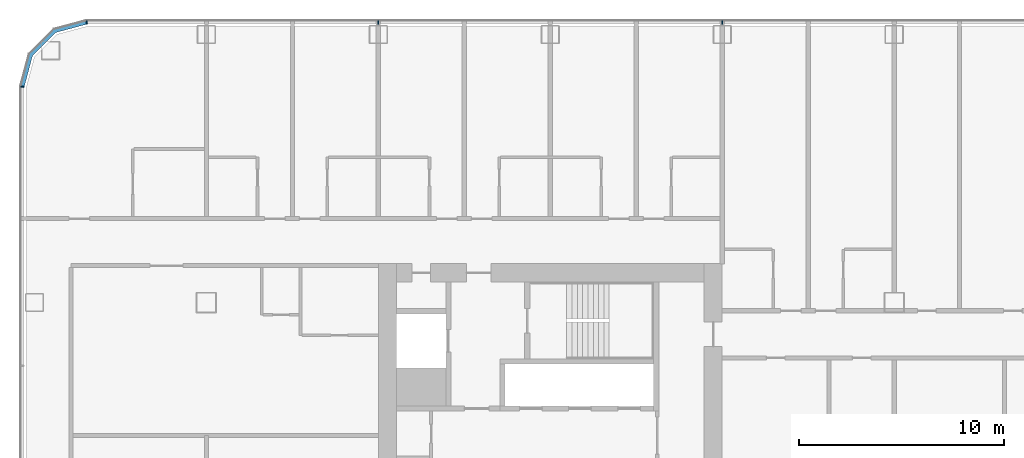
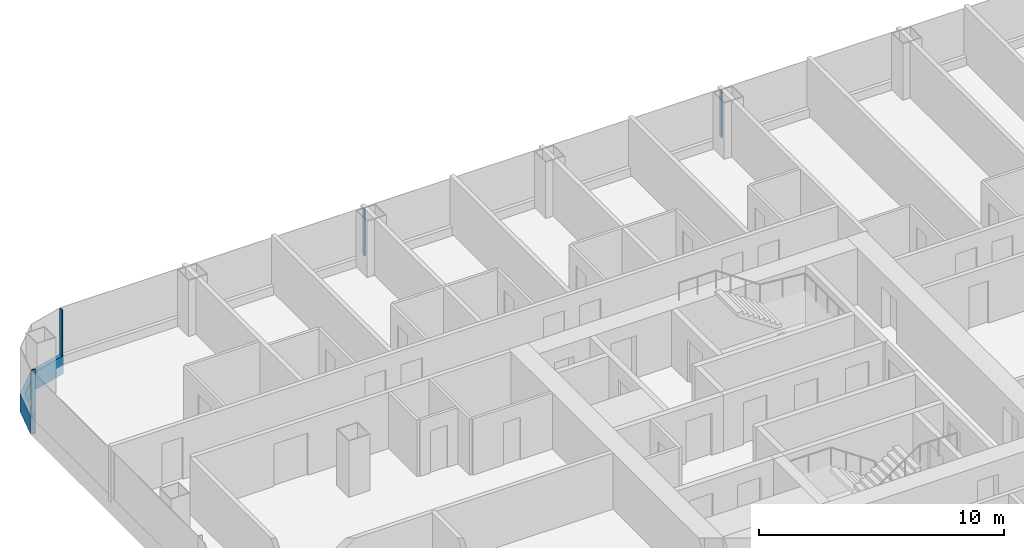
# One storey, part 6 of 29: 5 members, 3 elements without a shape of their own.
"""IFC4 building model written with IfcOpenShell, lengths in metres."""

import ifcopenshell
import ifcopenshell.guid

model = None  # the IFC model being written
_history = None  # IfcOwnerHistory: only IFC2X3 demands one
_inside = {}  # id of a spatial element -> (the spatial element, [elements in it])
_under = {}  # id of a project, library or spatial element -> (it, [spatial elements below it])
_declared = {}  # id of a project -> (the project, [libraries it declares])
_typed = {}  # id of a type object -> (the type object, [elements of that type])
_made_of = {}  # id of a material, layer set ... -> (it, [elements and type objects made of it])


def new_model(schema):
    """Start an empty IFC model of exactly this schema.

    Asked for "IFC4X3", IfcOpenShell would pick the latest addendum, in which some entities
    have other attributes; the version numbers below select the first issue.
    IFC2X3 requires an IfcOwnerHistory on every rooted entity: one is made here for all.
    """
    global model, _history
    if schema == "IFC4X3":
        model = ifcopenshell.file(schema_version=(4, 3, 0, 0))
    else:
        model = ifcopenshell.file(schema=schema)
    _inside.clear()
    _under.clear()
    _declared.clear()
    _typed.clear()
    _made_of.clear()
    _history = None
    if model.schema == "IFC2X3":
        org = make("IfcOrganization", Name="unknown")
        user = make(
            "IfcPersonAndOrganization",
            ThePerson=make("IfcPerson", FamilyName="unknown"),
            TheOrganization=org,
        )
        app = make(
            "IfcApplication",
            ApplicationDeveloper=org,
            Version="unknown",
            ApplicationFullName="unknown",
            ApplicationIdentifier="unknown",
        )
        _history = make(
            "IfcOwnerHistory",
            OwningUser=user,
            OwningApplication=app,
            ChangeAction="ADDED",
            CreationDate=0,
        )
    return model


def make(cls, **values):
    """One entity of the class cls with the attributes given. An attribute that is None is left unset."""
    return model.create_entity(
        cls, **{name: value for name, value in values.items() if value is not None}
    )


def rooted(cls, **values):
    """An entity with a GlobalId (a new one), such as an element, a storey or a relation."""
    return make(cls, GlobalId=ifcopenshell.guid.new(), OwnerHistory=_history, **values)


def si_unit(unit_type, name, prefix=None):
    """IfcSIUnit, for example si_unit("LENGTHUNIT", "METRE", prefix="MILLI")."""
    return make("IfcSIUnit", UnitType=unit_type, Prefix=prefix, Name=name)


def assignment(units):
    """IfcUnitAssignment: the units of a project."""
    return None if units is None else make("IfcUnitAssignment", Units=units)


def point(xyz):
    """IfcCartesianPoint."""
    return None if xyz is None else make("IfcCartesianPoint", Coordinates=xyz)


def direction(xyz):
    """IfcDirection."""
    return None if xyz is None else make("IfcDirection", DirectionRatios=xyz)


def frame(location, z_axis=None, x_axis=None):
    """IfcAxis2Placement3D, a coordinate frame: its origin and axes. An axis left out is left unset."""
    return make(
        "IfcAxis2Placement3D",
        Location=point(location),
        Axis=direction(z_axis),
        RefDirection=direction(x_axis),
    )


def frame_2d(location, x_axis=None):
    """IfcAxis2Placement2D, a coordinate frame in the plane: its origin and x axis."""
    return make(
        "IfcAxis2Placement2D", Location=point(location), RefDirection=direction(x_axis)
    )


def origin():
    """The frame at (0, 0, 0) with its axes left unset."""
    return frame((0.0, 0.0, 0.0))


def origin_2d():
    """The frame at (0, 0) in the plane with its x axis left unset."""
    return frame_2d((0.0, 0.0))


def place(relative_to, where):
    """IfcLocalPlacement: puts the frame where relative to a parent placement (None: the world)."""
    return make(
        "IfcLocalPlacement", PlacementRelTo=relative_to, RelativePlacement=where
    )


def context(
    kind, dimensions, precision=None, world=None, true_north=None, identifier=None
):
    """IfcGeometricRepresentationContext, for example the 3D "Model" context."""
    return make(
        "IfcGeometricRepresentationContext",
        ContextIdentifier=identifier,
        ContextType=kind,
        CoordinateSpaceDimension=dimensions,
        Precision=precision,
        WorldCoordinateSystem=world,
        TrueNorth=true_north,
    )


def subcontext(parent, identifier, kind, view, scale=None):
    """IfcGeometricRepresentationSubContext, for example "Body" below "Model"."""
    return make(
        "IfcGeometricRepresentationSubContext",
        ContextIdentifier=identifier,
        ContextType=kind,
        ParentContext=parent,
        TargetScale=scale,
        TargetView=view,
    )


def project(units=None, contexts=None):
    """IfcProject with its units and contexts."""
    return rooted(
        "IfcProject",
        Name="project",
        RepresentationContexts=contexts,
        UnitsInContext=assignment(units),
    )


def spatial(cls, under=None, at=None, **own):
    """A site, building, storey or space (cls), placed at a placement, below another one or the project."""
    s = rooted(cls, ObjectPlacement=at, **own)
    if under is not None:
        _under.setdefault(under.id(), (under, []))[1].append(s)
    return s


def polyline(points):
    """IfcPolyline through the points."""
    return make("IfcPolyline", Points=[point(p) for p in points])


def profile(cls, at=None, kind="AREA", **sizes):
    """A parametric profile (cls). Its sizes go by their IFC names, for example OverallWidth=200.0."""
    return make(cls, ProfileType=kind, Position=at, **sizes)


def rectangle(**sizes):
    """IfcRectangleProfileDef."""
    return profile("IfcRectangleProfileDef", **sizes)


def outline(outer, holes=None, kind="AREA"):
    """IfcArbitraryClosedProfileDef: a profile drawn as a closed curve; with holes, ...WithVoids."""
    if holes is None:
        return make("IfcArbitraryClosedProfileDef", ProfileType=kind, OuterCurve=outer)
    return make(
        "IfcArbitraryProfileDefWithVoids",
        ProfileType=kind,
        OuterCurve=outer,
        InnerCurves=holes,
    )


def extrude(swept, where, along, depth):
    """IfcExtrudedAreaSolid: the profile swept, set in the frame where, extruded along a direction by depth."""
    return make(
        "IfcExtrudedAreaSolid",
        SweptArea=swept,
        Position=where,
        ExtrudedDirection=direction(along),
        Depth=depth,
    )


def shape(context_of_items, identifier, shape_type, items):
    """IfcShapeRepresentation: the items that make up one representation, for example the "Body"."""
    return make(
        "IfcShapeRepresentation",
        ContextOfItems=context_of_items,
        RepresentationIdentifier=identifier,
        RepresentationType=shape_type,
        Items=items,
    )


def material(Name=None, Category=None):
    """IfcMaterial."""
    return make("IfcMaterial", Name=Name, Category=Category)


def layer(
    of_material, thickness, ventilated=None, Name=None, Category=None, Priority=None
):
    """IfcMaterialLayer: one layer of a wall or slab, of a material (None: an air gap)."""
    return make(
        "IfcMaterialLayer",
        Material=of_material,
        LayerThickness=thickness,
        IsVentilated=ventilated,
        Name=Name,
        Category=Category,
        Priority=Priority,
    )


def layer_set(layers, Name=None):
    """IfcMaterialLayerSet."""
    return make("IfcMaterialLayerSet", MaterialLayers=layers, LayerSetName=Name)


def material_profile(
    of_material, cross_section, Name=None, Category=None, Priority=None
):
    """IfcMaterialProfile: a cross section and its material."""
    return make(
        "IfcMaterialProfile",
        Name=Name,
        Material=of_material,
        Profile=cross_section,
        Priority=Priority,
        Category=Category,
    )


def profile_set(profiles, Name=None, composite=None):
    """IfcMaterialProfileSet."""
    return make(
        "IfcMaterialProfileSet",
        Name=Name,
        MaterialProfiles=profiles,
        CompositeProfile=composite,
    )


def made_of(thing, what):
    """Note that an element or type object is made of a material, layer set ...; save() writes the relation."""
    if what is not None:
        _made_of.setdefault(what.id(), (what, []))[1].append(thing)
    return thing


def type_object(cls, material=None, **own):
    """A type object (cls), such as IfcWallType, which elements share."""
    return made_of(rooted(cls, **own), material)


def element(
    cls,
    number,
    at=None,
    inside=None,
    cuts=None,
    type_object=None,
    material=None,
    context=None,
    identifier="Body",
    shape_type=None,
    held_by="IfcProductDefinitionShape",
    body=None,
    shapes=None,
    **own,
):
    """One element of the class cls, such as IfcWall. Its Tag is "e" and its number.

    at: its placement. inside: the storey or other place that contains it. cuts: it is an
    opening in that element (IfcRelVoidsElement). A single representation is given by context,
    identifier, shape_type and body (its items); several are given by shapes. held_by: the class
    of the entity that holds the representations. save() writes the other relations.
    """
    e = rooted(cls, Tag="e%d" % number, ObjectPlacement=at, **own)
    if body is not None:
        shapes = [shape(context, identifier, shape_type, body)]
    if shapes is not None:
        e.Representation = make(held_by, Representations=shapes)
    if inside is not None:
        _inside.setdefault(inside.id(), (inside, []))[1].append(e)
    if cuts is not None:
        rooted(
            "IfcRelVoidsElement", RelatingBuildingElement=cuts, RelatedOpeningElement=e
        )
    if type_object is not None:
        _typed.setdefault(type_object.id(), (type_object, []))[1].append(e)
    return made_of(e, material)


def aggregate(whole, parts):
    """IfcRelAggregates: a whole, such as a stair, and the parts it consists of."""
    return rooted("IfcRelAggregates", RelatingObject=whole, RelatedObjects=parts)


def save(model, path):
    """Write the relations noted so far, then the file.

    IfcRelAggregates (storeys below a building ...), IfcRelContainedInSpatialStructure (elements
    in a storey), IfcRelDefinesByType, IfcRelAssociatesMaterial and IfcRelDeclares: one each for
    every whole, place, type object, material and project.
    """
    for whole, parts in _under.values():
        aggregate(whole, parts)
    for where, things in _inside.values():
        rooted(
            "IfcRelContainedInSpatialStructure",
            RelatedElements=things,
            RelatingStructure=where,
        )
    for kind, things in _typed.values():
        rooted("IfcRelDefinesByType", RelatedObjects=things, RelatingType=kind)
    for what, things in _made_of.values():
        rooted("IfcRelAssociatesMaterial", RelatedObjects=things, RelatingMaterial=what)
    for by, libraries in _declared.values():
        rooted("IfcRelDeclares", RelatingContext=by, RelatedDefinitions=libraries)
    model.write(path)


model = new_model("IFC4")

# Units and contexts
model_context = context("Model", 3, precision=1e-05, world=origin(), true_north=direction((0.0, 1.0)))
body_context = subcontext(model_context, "Body", "Model", "MODEL_VIEW")
ifc_project = project(units=[si_unit("LENGTHUNIT", "METRE"), si_unit("AREAUNIT", "SQUARE_METRE"), si_unit("VOLUMEUNIT", "CUBIC_METRE"), si_unit("PLANEANGLEUNIT", "RADIAN"), si_unit("MASSUNIT", "GRAM", prefix="KILO")], contexts=[model_context])

# Site, building, storey
site_placement = place(None, origin())
site = spatial("IfcSite", under=ifc_project, at=site_placement, CompositionType="ELEMENT")
building_placement = place(site_placement, origin())
building = spatial("IfcBuilding", under=site, at=building_placement, Name="Hakoniwa Tower and Hamabe Station Hall", CompositionType="ELEMENT")
storey_placement = place(building_placement, frame((0.0, 0.0, 23.0)))
storey = spatial("IfcBuildingStorey", under=building, at=storey_placement, Name="L05", CompositionType="ELEMENT", Elevation=23.0)

# Curtain wall, member
ifc_material_1 = material(Name="Dark low-e laminated glass", Category="glass")
ifc_layer = layer(ifc_material_1, 0.199951171875)
ifc_layer_set = layer_set([ifc_layer], Name="CW-1 UNITISED GUEST")
curtain_wall_type = type_object("IfcCurtainWallType", Name="CW-1 UNITISED GUEST", PredefinedType="NOTDEFINED", material=ifc_layer_set)
curtain_wall_1_placement = place(storey_placement, origin())
curtain_wall_1 = element("IfcCurtainWall", 1, at=curtain_wall_1_placement, inside=storey, type_object=curtain_wall_type, Name="CW-1 curtain wall", PredefinedType="NOTDEFINED")
ifc_material_2 = material(Name="Aluminium 6063-T5 black anodised", Category="aluminium")
ifc_material_profile_1 = material_profile(ifc_material_2, rectangle(XDim=0.199951171875, YDim=0.89990234375, at=origin_2d()), Name="CW SLAB-EDGE BAND 900X200")
ifc_profile_set_1 = profile_set([ifc_material_profile_1], Name="Aluminium 6063-T5 black anodised")
member_type_1 = type_object("IfcMemberType", Name="CW SLAB-EDGE BAND 900X200", PredefinedType="USERDEFINED", material=ifc_profile_set_1)
member_1_placement = place(storey_placement, frame((0.0, 0.0, -0.550048828125)))
member_1 = element("IfcMember", 2, at=member_1_placement, type_object=member_type_1, Name="CW-1 transom", ObjectType="TRANSOM", PredefinedType="USERDEFINED", context=body_context, shape_type="SweptSolid", body=[
    extrude(outline(polyline([(-47.839599609375, 20.300048828125), (-49.455322265625, 19.866943359375), (-50.6669921875, 18.6552734375), (-51.10009765625, 17.03955078125), (-50.90673828125, 16.98779296875), (-50.48779296875, 18.5517578125), (-49.351806640625, 19.687744140625), (-47.787841796875, 20.10693359375), (-47.839599609375, 20.300048828125)])), origin(), (0.0, 0.0, 1.0), 0.900146484375),
])
aggregate(curtain_wall_1, [member_1])

# Curtain wall, members
curtain_wall_2_placement = place(storey_placement, origin())
curtain_wall_2 = element("IfcCurtainWall", 3, at=curtain_wall_2_placement, inside=storey, type_object=curtain_wall_type, Name="CW-1 curtain wall", PredefinedType="NOTDEFINED")
ifc_material_3 = material(Name="Aluminium 6063-T5 black anodised", Category="aluminium")
ifc_material_profile_2 = material_profile(ifc_material_3, rectangle(XDim=0.06005859375, YDim=0.179931640625, at=origin_2d()), Name="CW-1 MULLION 60X180")
ifc_profile_set_2 = profile_set([ifc_material_profile_2], Name="Aluminium 6063-T5 black anodised")
member_type_2 = type_object("IfcMemberType", Name="CW-1 MULLION 60X180", PredefinedType="MULLION", material=ifc_profile_set_2)
member_2_placement = place(storey_placement, frame((-16.800048828125, 20.181884765625, 0.35009765625), z_axis=(0.0, 0.0, 1.0), x_axis=(-1.0, 0.0, 0.0)))
member_2 = element("IfcMember", 4, at=member_2_placement, type_object=member_type_2, Name="CW-1 mullion", PredefinedType="MULLION", context=body_context, shape_type="SweptSolid", body=[
    extrude(rectangle(XDim=0.06005859375, YDim=0.179931640625, at=origin_2d()), origin(), (0.0, 0.0, 1.0), 2.2998046875),
])
member_3_placement = place(storey_placement, frame((-33.60009765625, 20.181884765625, 0.35009765625), z_axis=(0.0, 0.0, 1.0), x_axis=(-1.0, 0.0, 0.0)))
member_3 = element("IfcMember", 5, at=member_3_placement, type_object=member_type_2, Name="CW-1 mullion", PredefinedType="MULLION", context=body_context, shape_type="SweptSolid", body=[
    extrude(rectangle(XDim=0.06005859375, YDim=0.179931640625, at=origin_2d()), origin(), (0.0, 0.0, 1.0), 2.2998046875),
])
member_4_placement = place(storey_placement, frame((-47.839599609375, 20.181884765625, 0.35009765625), z_axis=(0.0, 0.0, 1.0), x_axis=(-1.0, 0.0, 0.0)))
member_4 = element("IfcMember", 6, at=member_4_placement, type_object=member_type_2, Name="CW-1 mullion", PredefinedType="MULLION", context=body_context, shape_type="SweptSolid", body=[
    extrude(rectangle(XDim=0.06005859375, YDim=0.179931640625, at=origin_2d()), origin(), (0.0, 0.0, 1.0), 2.2998046875),
])
aggregate(curtain_wall_2, [member_2, member_3, member_4])

# Curtain wall, member
curtain_wall_3_placement = place(storey_placement, origin())
curtain_wall_3 = element("IfcCurtainWall", 7, at=curtain_wall_3_placement, inside=storey, type_object=curtain_wall_type, Name="CW-1 curtain wall", PredefinedType="NOTDEFINED")
member_5_placement = place(storey_placement, frame((-50.98193359375, 17.03955078125, 0.35009765625), z_axis=(0.0, 0.0, 1.0), x_axis=(0.0, -1.0, 0.0)))
member_5 = element("IfcMember", 8, at=member_5_placement, type_object=member_type_2, Name="CW-1 mullion", PredefinedType="MULLION", context=body_context, shape_type="SweptSolid", body=[
    extrude(rectangle(XDim=0.06005859375, YDim=0.179931640625, at=origin_2d()), origin(), (0.0, 0.0, 1.0), 2.2998046875),
])
aggregate(curtain_wall_3, [member_5])

save(model, "model.ifc")
